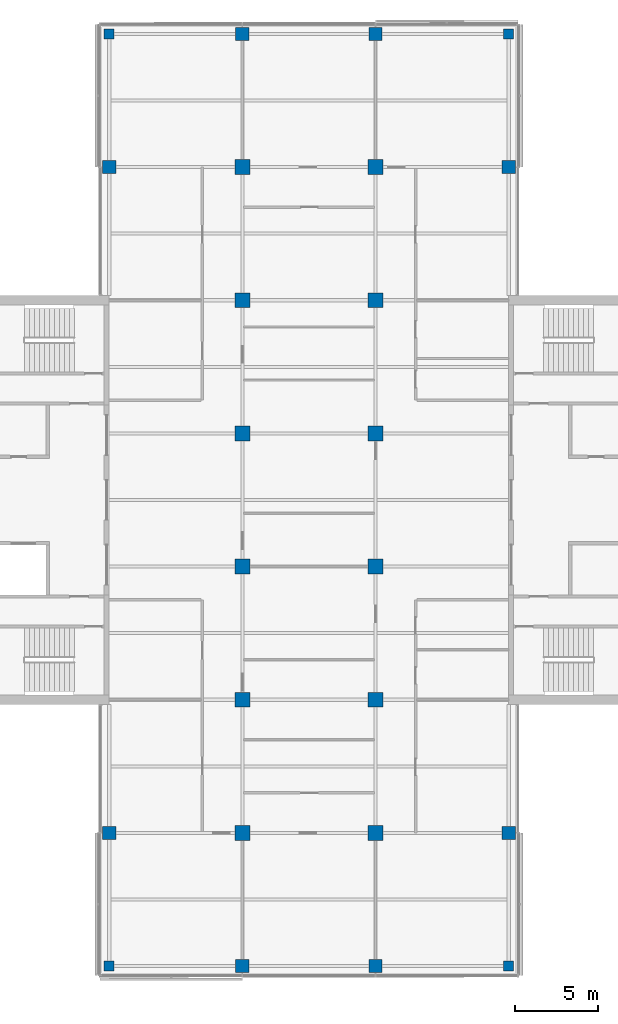
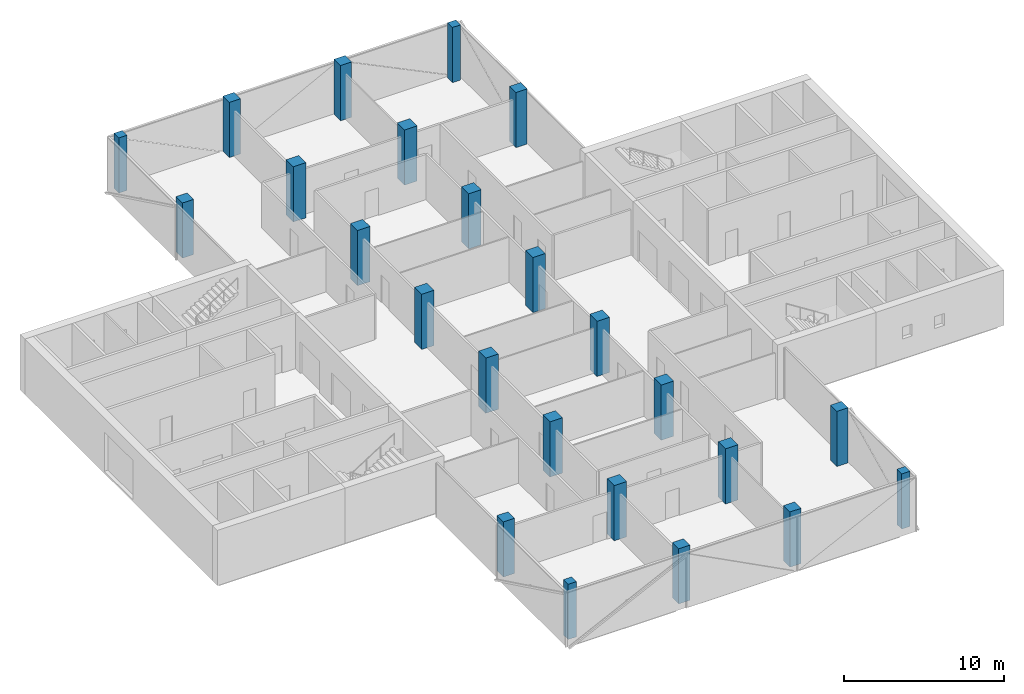
# One storey, part 1 of 15: 24 columns.
"""IFC4 building model written with IfcOpenShell, lengths in metres."""

from ifc_helpers import new_model, si_unit, direction, frame, origin, origin_2d, place, context, subcontext, project, spatial, rectangle, extrude, material, material_profile, profile_set, type_object, element, save


model = new_model("IFC4")

# Units and contexts
model_context = context("Model", 3, precision=1e-05, world=origin(), true_north=direction((0.0, 1.0)))
body_context = subcontext(model_context, "Body", "Model", "MODEL_VIEW")
ifc_project = project(units=[si_unit("LENGTHUNIT", "METRE"), si_unit("AREAUNIT", "SQUARE_METRE"), si_unit("VOLUMEUNIT", "CUBIC_METRE"), si_unit("PLANEANGLEUNIT", "RADIAN"), si_unit("MASSUNIT", "GRAM", prefix="KILO")], contexts=[model_context])

# Site, building, storey
site_placement = place(None, origin())
site = spatial("IfcSite", under=ifc_project, at=site_placement, CompositionType="ELEMENT")
building_placement = place(site_placement, origin())
building = spatial("IfcBuilding", under=site, at=building_placement, Name="Crosswind Convention Tower", CompositionType="ELEMENT")
storey_placement = place(building_placement, frame((0.0, 0.0, 199.89990234375)))
storey = spatial("IfcBuildingStorey", under=building, at=storey_placement, Name="L42", CompositionType="ELEMENT", Elevation=199.89990234375)

# Columns
ifc_material = material(Name="Concrete C60/75", Category="concrete")
ifc_material_profile_1 = material_profile(ifc_material, rectangle(XDim=0.60009765625, YDim=0.60009765625, at=origin_2d()), Name="RC 600X600")
ifc_profile_set_1 = profile_set([ifc_material_profile_1], Name="Concrete C60/75")
column_type_1 = type_object("IfcColumnType", Name="Column RC 600X600", PredefinedType="COLUMN", material=ifc_profile_set_1)
for number, where, z_axis, x_axis, name in (
    (1, (113.0, 72.0, 0.0), (0.0, 0.0, 1.0), (1.0, 0.0, 0.0), "C16 L42 5/C"),
    (2, (113.0, 128.0, 0.0), (0.0, 0.0, 1.0), (1.0, 0.0, 0.0), "C16 L42 5/J"),
    (3, (137.0, 72.0, 0.0), (0.0, 0.0, 1.0), (1.0, 0.0, 0.0), "C16 L42 8/C"),
    (4, (137.0, 128.0, 0.0), (0.0, 0.0, 1.0), (1.0, 0.0, 0.0), "C16 L42 8/J"),
):
    element("IfcColumn", number, at=place(storey_placement, frame(where, z_axis=z_axis, x_axis=x_axis)), inside=storey, type_object=column_type_1, Name=name, PredefinedType="COLUMN", context=body_context, shape_type="SweptSolid", body=[
        extrude(rectangle(XDim=0.60009765625, YDim=0.60009765625, at=origin_2d()), origin(), (0.0, 0.0, 1.0), 4.2001953125),
    ])
ifc_material_profile_2 = material_profile(ifc_material, rectangle(XDim=0.800048828125, YDim=0.800048828125, at=origin_2d()), Name="RC 800X800")
ifc_profile_set_2 = profile_set([ifc_material_profile_2], Name="Concrete C60/75")
column_type_2 = type_object("IfcColumnType", Name="Column RC 800X800", PredefinedType="COLUMN", material=ifc_profile_set_2)
for number, where, z_axis, x_axis, name in (
    (5, (113.0, 80.0, 0.0), (0.0, 0.0, 1.0), (1.0, 0.0, 0.0), "C14 L42 5/D"),
    (6, (113.0, 120.0, 0.0), (0.0, 0.0, 1.0), (1.0, 0.0, 0.0), "C14 L42 5/I"),
    (7, (121.0, 72.0, 0.0), (0.0, 0.0, 1.0), (1.0, 0.0, 0.0), "C14 L42 6/C"),
    (8, (121.0, 128.0, 0.0), (0.0, 0.0, 1.0), (1.0, 0.0, 0.0), "C14 L42 6/J"),
    (9, (129.0, 72.0, 0.0), (0.0, 0.0, 1.0), (1.0, 0.0, 0.0), "C14 L42 7/C"),
    (10, (129.0, 128.0, 0.0), (0.0, 0.0, 1.0), (1.0, 0.0, 0.0), "C14 L42 7/J"),
    (11, (137.0, 80.0, 0.0), (0.0, 0.0, 1.0), (1.0, 0.0, 0.0), "C14 L42 8/D"),
    (12, (137.0, 120.0, 0.0), (0.0, 0.0, 1.0), (1.0, 0.0, 0.0), "C14 L42 8/I"),
):
    element("IfcColumn", number, at=place(storey_placement, frame(where, z_axis=z_axis, x_axis=x_axis)), inside=storey, type_object=column_type_2, Name=name, PredefinedType="COLUMN", context=body_context, shape_type="SweptSolid", body=[
        extrude(rectangle(XDim=0.800048828125, YDim=0.800048828125, at=origin_2d()), origin(), (0.0, 0.0, 1.0), 4.2001953125),
    ])
ifc_material_profile_3 = material_profile(ifc_material, rectangle(XDim=0.89990234375, YDim=0.89990234375, at=origin_2d()), Name="RC 900X900")
ifc_profile_set_3 = profile_set([ifc_material_profile_3], Name="Concrete C60/75")
column_type_3 = type_object("IfcColumnType", Name="Column RC 900X900", PredefinedType="COLUMN", material=ifc_profile_set_3)
for number, where, z_axis, x_axis, name in (
    (13, (121.0, 80.0, 0.0), (0.0, 0.0, 1.0), (1.0, 0.0, 0.0), "C13 L42 6/D"),
    (14, (121.0, 88.0, 0.0), (0.0, 0.0, 1.0), (1.0, 0.0, 0.0), "C13 L42 6/E"),
    (15, (121.0, 96.0, 0.0), (0.0, 0.0, 1.0), (1.0, 0.0, 0.0), "C13 L42 6/F"),
    (16, (121.0, 104.0, 0.0), (0.0, 0.0, 1.0), (1.0, 0.0, 0.0), "C13 L42 6/G"),
    (17, (121.0, 112.0, 0.0), (0.0, 0.0, 1.0), (1.0, 0.0, 0.0), "C13 L42 6/H"),
    (18, (121.0, 120.0, 0.0), (0.0, 0.0, 1.0), (1.0, 0.0, 0.0), "C13 L42 6/I"),
    (19, (129.0, 80.0, 0.0), (0.0, 0.0, 1.0), (1.0, 0.0, 0.0), "C13 L42 7/D"),
    (20, (129.0, 88.0, 0.0), (0.0, 0.0, 1.0), (1.0, 0.0, 0.0), "C13 L42 7/E"),
    (21, (129.0, 96.0, 0.0), (0.0, 0.0, 1.0), (1.0, 0.0, 0.0), "C13 L42 7/F"),
    (22, (129.0, 104.0, 0.0), (0.0, 0.0, 1.0), (1.0, 0.0, 0.0), "C13 L42 7/G"),
    (23, (129.0, 112.0, 0.0), (0.0, 0.0, 1.0), (1.0, 0.0, 0.0), "C13 L42 7/H"),
    (24, (129.0, 120.0, 0.0), (0.0, 0.0, 1.0), (1.0, 0.0, 0.0), "C13 L42 7/I"),
):
    element("IfcColumn", number, at=place(storey_placement, frame(where, z_axis=z_axis, x_axis=x_axis)), inside=storey, type_object=column_type_3, Name=name, PredefinedType="COLUMN", context=body_context, shape_type="SweptSolid", body=[
        extrude(rectangle(XDim=0.89990234375, YDim=0.89990234375, at=origin_2d()), origin(), (0.0, 0.0, 1.0), 4.2001953125),
    ])

save(model, "model.ifc")
